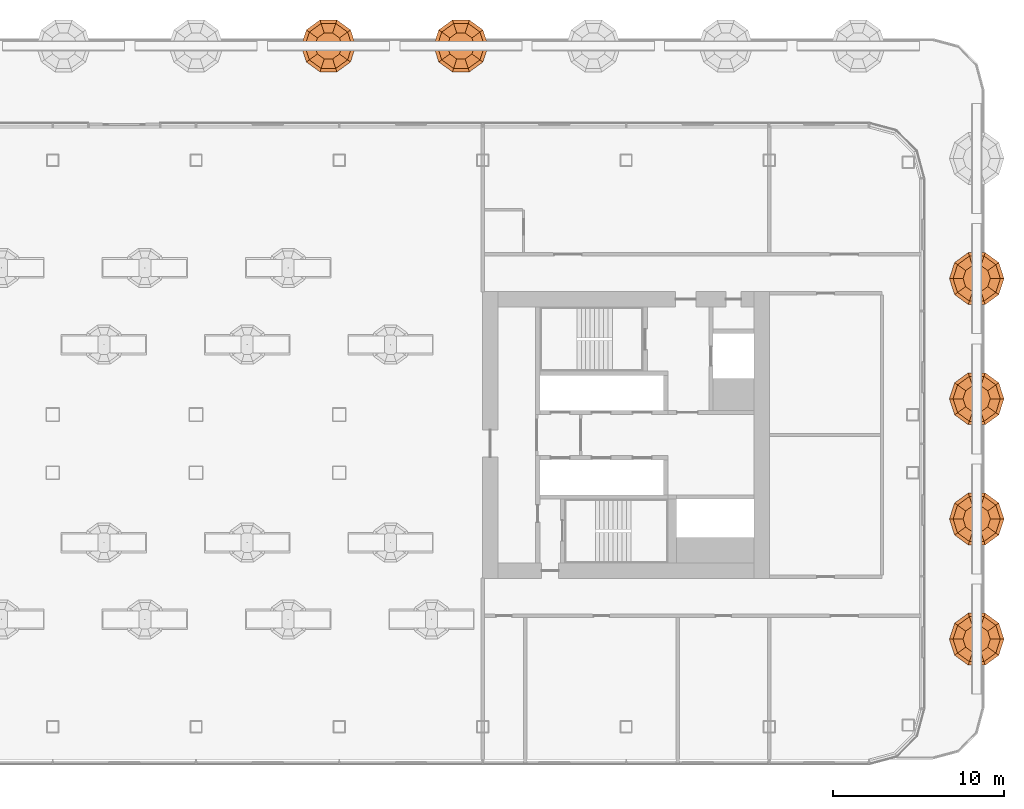
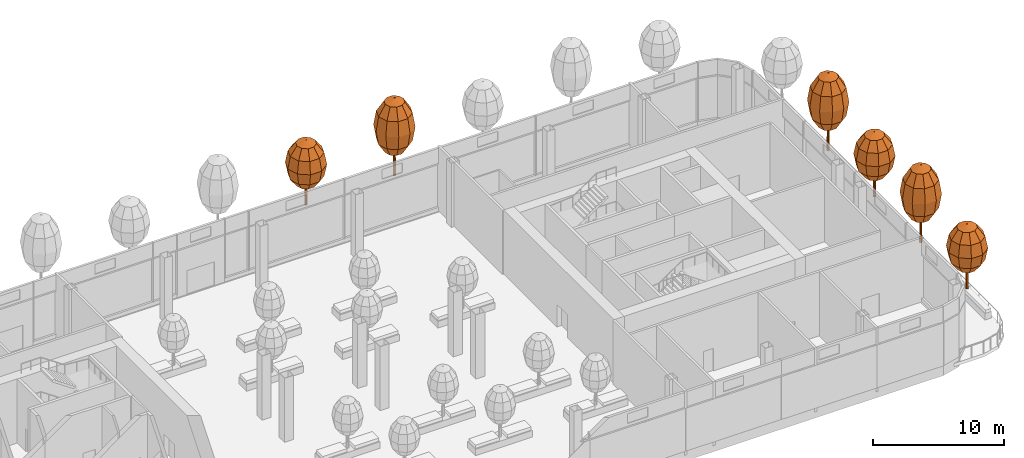
# One storey, part 42 of 43: 6 geographic elements.
"""IFC4 building model written with IfcOpenShell, lengths in metres."""

import ifcopenshell
import ifcopenshell.guid

model = None  # the IFC model being written
_history = None  # IfcOwnerHistory: only IFC2X3 demands one
_inside = {}  # id of a spatial element -> (the spatial element, [elements in it])
_under = {}  # id of a project, library or spatial element -> (it, [spatial elements below it])
_declared = {}  # id of a project -> (the project, [libraries it declares])
_typed = {}  # id of a type object -> (the type object, [elements of that type])
_made_of = {}  # id of a material, layer set ... -> (it, [elements and type objects made of it])


def new_model(schema):
    """Start an empty IFC model of exactly this schema.

    Asked for "IFC4X3", IfcOpenShell would pick the latest addendum, in which some entities
    have other attributes; the version numbers below select the first issue.
    IFC2X3 requires an IfcOwnerHistory on every rooted entity: one is made here for all.
    """
    global model, _history
    if schema == "IFC4X3":
        model = ifcopenshell.file(schema_version=(4, 3, 0, 0))
    else:
        model = ifcopenshell.file(schema=schema)
    _inside.clear()
    _under.clear()
    _declared.clear()
    _typed.clear()
    _made_of.clear()
    _history = None
    if model.schema == "IFC2X3":
        org = make("IfcOrganization", Name="unknown")
        user = make(
            "IfcPersonAndOrganization",
            ThePerson=make("IfcPerson", FamilyName="unknown"),
            TheOrganization=org,
        )
        app = make(
            "IfcApplication",
            ApplicationDeveloper=org,
            Version="unknown",
            ApplicationFullName="unknown",
            ApplicationIdentifier="unknown",
        )
        _history = make(
            "IfcOwnerHistory",
            OwningUser=user,
            OwningApplication=app,
            ChangeAction="ADDED",
            CreationDate=0,
        )
    return model


def make(cls, **values):
    """One entity of the class cls with the attributes given. An attribute that is None is left unset."""
    return model.create_entity(
        cls, **{name: value for name, value in values.items() if value is not None}
    )


def rooted(cls, **values):
    """An entity with a GlobalId (a new one), such as an element, a storey or a relation."""
    return make(cls, GlobalId=ifcopenshell.guid.new(), OwnerHistory=_history, **values)


def si_unit(unit_type, name, prefix=None):
    """IfcSIUnit, for example si_unit("LENGTHUNIT", "METRE", prefix="MILLI")."""
    return make("IfcSIUnit", UnitType=unit_type, Prefix=prefix, Name=name)


def assignment(units):
    """IfcUnitAssignment: the units of a project."""
    return None if units is None else make("IfcUnitAssignment", Units=units)


def point(xyz):
    """IfcCartesianPoint."""
    return None if xyz is None else make("IfcCartesianPoint", Coordinates=xyz)


def direction(xyz):
    """IfcDirection."""
    return None if xyz is None else make("IfcDirection", DirectionRatios=xyz)


def frame(location, z_axis=None, x_axis=None):
    """IfcAxis2Placement3D, a coordinate frame: its origin and axes. An axis left out is left unset."""
    return make(
        "IfcAxis2Placement3D",
        Location=point(location),
        Axis=direction(z_axis),
        RefDirection=direction(x_axis),
    )


def origin():
    """The frame at (0, 0, 0) with its axes left unset."""
    return frame((0.0, 0.0, 0.0))


def place(relative_to, where):
    """IfcLocalPlacement: puts the frame where relative to a parent placement (None: the world)."""
    return make(
        "IfcLocalPlacement", PlacementRelTo=relative_to, RelativePlacement=where
    )


def context(
    kind, dimensions, precision=None, world=None, true_north=None, identifier=None
):
    """IfcGeometricRepresentationContext, for example the 3D "Model" context."""
    return make(
        "IfcGeometricRepresentationContext",
        ContextIdentifier=identifier,
        ContextType=kind,
        CoordinateSpaceDimension=dimensions,
        Precision=precision,
        WorldCoordinateSystem=world,
        TrueNorth=true_north,
    )


def subcontext(parent, identifier, kind, view, scale=None):
    """IfcGeometricRepresentationSubContext, for example "Body" below "Model"."""
    return make(
        "IfcGeometricRepresentationSubContext",
        ContextIdentifier=identifier,
        ContextType=kind,
        ParentContext=parent,
        TargetScale=scale,
        TargetView=view,
    )


def project(units=None, contexts=None):
    """IfcProject with its units and contexts."""
    return rooted(
        "IfcProject",
        Name="project",
        RepresentationContexts=contexts,
        UnitsInContext=assignment(units),
    )


def spatial(cls, under=None, at=None, **own):
    """A site, building, storey or space (cls), placed at a placement, below another one or the project."""
    s = rooted(cls, ObjectPlacement=at, **own)
    if under is not None:
        _under.setdefault(under.id(), (under, []))[1].append(s)
    return s


def point_list(points):
    """IfcCartesianPointList2D or 3D."""
    cls = (
        "IfcCartesianPointList2D" if len(points[0]) == 2 else "IfcCartesianPointList3D"
    )
    return make(cls, CoordList=points)


def triangles(points, corners, closed=None, point_numbers=None):
    """IfcTriangulatedFaceSet: each triangle names its three corners, points numbered from 1."""
    return make(
        "IfcTriangulatedFaceSet",
        Coordinates=point_list(points),
        Closed=closed,
        CoordIndex=corners,
        PnIndex=point_numbers,
    )


def shape(context_of_items, identifier, shape_type, items):
    """IfcShapeRepresentation: the items that make up one representation, for example the "Body"."""
    return make(
        "IfcShapeRepresentation",
        ContextOfItems=context_of_items,
        RepresentationIdentifier=identifier,
        RepresentationType=shape_type,
        Items=items,
    )


def material(Name=None, Category=None):
    """IfcMaterial."""
    return make("IfcMaterial", Name=Name, Category=Category)


def made_of(thing, what):
    """Note that an element or type object is made of a material, layer set ...; save() writes the relation."""
    if what is not None:
        _made_of.setdefault(what.id(), (what, []))[1].append(thing)
    return thing


def type_object(cls, material=None, **own):
    """A type object (cls), such as IfcWallType, which elements share."""
    return made_of(rooted(cls, **own), material)


def element(
    cls,
    number,
    at=None,
    inside=None,
    cuts=None,
    type_object=None,
    material=None,
    context=None,
    identifier="Body",
    shape_type=None,
    held_by="IfcProductDefinitionShape",
    body=None,
    shapes=None,
    **own,
):
    """One element of the class cls, such as IfcWall. Its Tag is "e" and its number.

    at: its placement. inside: the storey or other place that contains it. cuts: it is an
    opening in that element (IfcRelVoidsElement). A single representation is given by context,
    identifier, shape_type and body (its items); several are given by shapes. held_by: the class
    of the entity that holds the representations. save() writes the other relations.
    """
    e = rooted(cls, Tag="e%d" % number, ObjectPlacement=at, **own)
    if body is not None:
        shapes = [shape(context, identifier, shape_type, body)]
    if shapes is not None:
        e.Representation = make(held_by, Representations=shapes)
    if inside is not None:
        _inside.setdefault(inside.id(), (inside, []))[1].append(e)
    if cuts is not None:
        rooted(
            "IfcRelVoidsElement", RelatingBuildingElement=cuts, RelatedOpeningElement=e
        )
    if type_object is not None:
        _typed.setdefault(type_object.id(), (type_object, []))[1].append(e)
    return made_of(e, material)


def aggregate(whole, parts):
    """IfcRelAggregates: a whole, such as a stair, and the parts it consists of."""
    return rooted("IfcRelAggregates", RelatingObject=whole, RelatedObjects=parts)


def save(model, path):
    """Write the relations noted so far, then the file.

    IfcRelAggregates (storeys below a building ...), IfcRelContainedInSpatialStructure (elements
    in a storey), IfcRelDefinesByType, IfcRelAssociatesMaterial and IfcRelDeclares: one each for
    every whole, place, type object, material and project.
    """
    for whole, parts in _under.values():
        aggregate(whole, parts)
    for where, things in _inside.values():
        rooted(
            "IfcRelContainedInSpatialStructure",
            RelatedElements=things,
            RelatingStructure=where,
        )
    for kind, things in _typed.values():
        rooted("IfcRelDefinesByType", RelatedObjects=things, RelatingType=kind)
    for what, things in _made_of.values():
        rooted("IfcRelAssociatesMaterial", RelatedObjects=things, RelatingMaterial=what)
    for by, libraries in _declared.values():
        rooted("IfcRelDeclares", RelatingContext=by, RelatedDefinitions=libraries)
    model.write(path)


model = new_model("IFC4")

# Units and contexts
model_context = context("Model", 3, precision=1e-05, world=origin(), true_north=direction((0.0, 1.0)))
body_context = subcontext(model_context, "Body", "Model", "MODEL_VIEW")
ifc_project = project(units=[si_unit("LENGTHUNIT", "METRE"), si_unit("AREAUNIT", "SQUARE_METRE"), si_unit("VOLUMEUNIT", "CUBIC_METRE"), si_unit("PLANEANGLEUNIT", "RADIAN"), si_unit("MASSUNIT", "GRAM", prefix="KILO")], contexts=[model_context])

# Site, building, storey
site_placement = place(None, origin())
site = spatial("IfcSite", under=ifc_project, at=site_placement, CompositionType="ELEMENT")
building_placement = place(site_placement, origin())
building = spatial("IfcBuilding", under=site, at=building_placement, Name="Hakoniwa Tower and Hamabe Station Hall", CompositionType="ELEMENT")
storey_placement = place(building_placement, frame((0.0, 0.0, 124.60009765625)))
storey = spatial("IfcBuildingStorey", under=building, at=storey_placement, Name="L35", CompositionType="ELEMENT", Elevation=124.60009765625)

# Geographic elements
ifc_material_1 = material(Name="Tree foliage")
geographic_element_type_1 = type_object("IfcGeographicElementType", Name="Japanese maple 7.2 m", PredefinedType="USERDEFINED", material=ifc_material_1)
geographic_element_1_placement = place(storey_placement, frame((45.7509765625, -4.919677734375, 0.89990234375)))
element("IfcGeographicElement", 1, at=geographic_element_1_placement, inside=storey, type_object=geographic_element_type_1, Name="Japanese maple 7-2 m", ObjectType="TREE", PredefinedType="USERDEFINED", context=body_context, shape_type="Tessellation", body=[
    triangles([(0.125, 0.0, 0.0), (0.08837890625, 0.08837890625, 0.0), (0.0, 0.125, 0.0), (-0.08837890625, 0.08837890625, 0.0), (-0.125, 0.0, 0.0), (-0.08837890625, -0.08837890625, 0.0), (0.0, -0.125, 0.0), (0.08837890625, -0.08837890625, 0.0), (0.074951171875, 0.0, 4.348876953125), (0.052978515625, 0.052978515625, 4.348876953125), (0.0, 0.074951171875, 4.348876953125), (-0.052978515625, 0.052978515625, 4.348876953125), (-0.074951171875, 0.0, 4.348876953125), (-0.052978515625, -0.052978515625, 4.348876953125), (0.0, -0.074951171875, 4.348876953125), (0.052978515625, -0.052978515625, 4.348876953125), (0.0, 0.0, 0.0), (0.0, 0.0, 4.348876953125)], [[1, 2, 10], [1, 10, 9], [17, 2, 1], [18, 9, 10], [2, 3, 11], [2, 11, 10], [17, 3, 2], [18, 10, 11], [3, 4, 12], [3, 12, 11], [17, 4, 3], [18, 11, 12], [4, 5, 13], [4, 13, 12], [17, 5, 4], [18, 12, 13], [5, 6, 14], [5, 14, 13], [17, 6, 5], [18, 13, 14], [6, 7, 15], [6, 15, 14], [17, 7, 6], [18, 14, 15], [7, 8, 16], [7, 16, 15], [17, 8, 7], [18, 15, 16], [8, 1, 9], [8, 9, 16], [17, 1, 8], [18, 16, 9]], closed=True),
    triangles([(0.0, 0.0, 2.015869140625), (0.800048828125, 0.0, 2.36328125), (0.647216796875, 0.47021484375, 2.36328125), (0.247314453125, 0.7607421875, 2.36328125), (-0.247314453125, 0.7607421875, 2.36328125), (-0.647216796875, 0.47021484375, 2.36328125), (-0.800048828125, 0.0, 2.36328125), (-0.647216796875, -0.47021484375, 2.36328125), (-0.247314453125, -0.7607421875, 2.36328125), (0.247314453125, -0.7607421875, 2.36328125), (0.647216796875, -0.47021484375, 2.36328125), (1.385498046875, 0.0, 3.31201171875), (1.12109375, 0.814453125, 3.31201171875), (0.42822265625, 1.31787109375, 3.31201171875), (-0.42822265625, 1.31787109375, 3.31201171875), (-1.12109375, 0.814453125, 3.31201171875), (-1.385498046875, 0.0, 3.31201171875), (-1.12109375, -0.814453125, 3.31201171875), (-0.42822265625, -1.31787109375, 3.31201171875), (0.42822265625, -1.31787109375, 3.31201171875), (1.12109375, -0.814453125, 3.31201171875), (1.60009765625, 0.0, 4.60791015625), (1.29443359375, 0.9404296875, 4.60791015625), (0.494384765625, 1.521728515625, 4.60791015625), (-0.494384765625, 1.521728515625, 4.60791015625), (-1.29443359375, 0.9404296875, 4.60791015625), (-1.60009765625, 0.0, 4.60791015625), (-1.29443359375, -0.9404296875, 4.60791015625), (-0.494384765625, -1.521728515625, 4.60791015625), (0.494384765625, -1.521728515625, 4.60791015625), (1.29443359375, -0.9404296875, 4.60791015625), (1.385498046875, 0.0, 5.904052734375), (1.12109375, 0.814453125, 5.904052734375), (0.42822265625, 1.31787109375, 5.904052734375), (-0.42822265625, 1.31787109375, 5.904052734375), (-1.12109375, 0.814453125, 5.904052734375), (-1.385498046875, 0.0, 5.904052734375), (-1.12109375, -0.814453125, 5.904052734375), (-0.42822265625, -1.31787109375, 5.904052734375), (0.42822265625, -1.31787109375, 5.904052734375), (1.12109375, -0.814453125, 5.904052734375), (0.800048828125, 0.0, 6.852783203125), (0.647216796875, 0.47021484375, 6.852783203125), (0.247314453125, 0.7607421875, 6.852783203125), (-0.247314453125, 0.7607421875, 6.852783203125), (-0.647216796875, 0.47021484375, 6.852783203125), (-0.800048828125, 0.0, 6.852783203125), (-0.647216796875, -0.47021484375, 6.852783203125), (-0.247314453125, -0.7607421875, 6.852783203125), (0.247314453125, -0.7607421875, 6.852783203125), (0.647216796875, -0.47021484375, 6.852783203125), (0.0, 0.0, 7.199951171875)], [[1, 3, 2], [1, 4, 3], [1, 5, 4], [1, 6, 5], [1, 7, 6], [1, 8, 7], [1, 9, 8], [1, 10, 9], [1, 11, 10], [1, 2, 11], [2, 3, 13], [2, 13, 12], [3, 4, 14], [3, 14, 13], [4, 5, 15], [4, 15, 14], [5, 6, 16], [5, 16, 15], [6, 7, 17], [6, 17, 16], [7, 8, 18], [7, 18, 17], [8, 9, 19], [8, 19, 18], [9, 10, 20], [9, 20, 19], [10, 11, 21], [10, 21, 20], [11, 2, 12], [11, 12, 21], [12, 13, 23], [12, 23, 22], [13, 14, 24], [13, 24, 23], [14, 15, 25], [14, 25, 24], [15, 16, 26], [15, 26, 25], [16, 17, 27], [16, 27, 26], [17, 18, 28], [17, 28, 27], [18, 19, 29], [18, 29, 28], [19, 20, 30], [19, 30, 29], [20, 21, 31], [20, 31, 30], [21, 12, 22], [21, 22, 31], [22, 23, 33], [22, 33, 32], [23, 24, 34], [23, 34, 33], [24, 25, 35], [24, 35, 34], [25, 26, 36], [25, 36, 35], [26, 27, 37], [26, 37, 36], [27, 28, 38], [27, 38, 37], [28, 29, 39], [28, 39, 38], [29, 30, 40], [29, 40, 39], [30, 31, 41], [30, 41, 40], [31, 22, 32], [31, 32, 41], [32, 33, 43], [32, 43, 42], [33, 34, 44], [33, 44, 43], [34, 35, 45], [34, 45, 44], [35, 36, 46], [35, 46, 45], [36, 37, 47], [36, 47, 46], [37, 38, 48], [37, 48, 47], [38, 39, 49], [38, 49, 48], [39, 40, 50], [39, 50, 49], [40, 41, 51], [40, 51, 50], [41, 32, 42], [41, 42, 51], [52, 42, 43], [52, 43, 44], [52, 44, 45], [52, 45, 46], [52, 46, 47], [52, 47, 48], [52, 48, 49], [52, 49, 50], [52, 50, 51], [52, 51, 42]], closed=True),
])
geographic_element_2_placement = place(storey_placement, frame((45.7509765625, 9.169677734375, 0.89990234375)))
element("IfcGeographicElement", 2, at=geographic_element_2_placement, inside=storey, type_object=geographic_element_type_1, Name="Japanese maple 7-2 m", ObjectType="TREE", PredefinedType="USERDEFINED", context=body_context, shape_type="Tessellation", body=[
    triangles([(0.125, 0.0, 0.0), (0.08837890625, 0.08837890625, 0.0), (0.0, 0.125, 0.0), (-0.08837890625, 0.08837890625, 0.0), (-0.125, 0.0, 0.0), (-0.08837890625, -0.08837890625, 0.0), (0.0, -0.125, 0.0), (0.08837890625, -0.08837890625, 0.0), (0.074951171875, 0.0, 4.348876953125), (0.052978515625, 0.052978515625, 4.348876953125), (0.0, 0.074951171875, 4.348876953125), (-0.052978515625, 0.052978515625, 4.348876953125), (-0.074951171875, 0.0, 4.348876953125), (-0.052978515625, -0.052978515625, 4.348876953125), (0.0, -0.074951171875, 4.348876953125), (0.052978515625, -0.052978515625, 4.348876953125), (0.0, 0.0, 0.0), (0.0, 0.0, 4.348876953125)], [[1, 2, 10], [1, 10, 9], [17, 2, 1], [18, 9, 10], [2, 3, 11], [2, 11, 10], [17, 3, 2], [18, 10, 11], [3, 4, 12], [3, 12, 11], [17, 4, 3], [18, 11, 12], [4, 5, 13], [4, 13, 12], [17, 5, 4], [18, 12, 13], [5, 6, 14], [5, 14, 13], [17, 6, 5], [18, 13, 14], [6, 7, 15], [6, 15, 14], [17, 7, 6], [18, 14, 15], [7, 8, 16], [7, 16, 15], [17, 8, 7], [18, 15, 16], [8, 1, 9], [8, 9, 16], [17, 1, 8], [18, 16, 9]], closed=True),
    triangles([(0.0, 0.0, 2.015869140625), (0.800048828125, 0.0, 2.36328125), (0.647216796875, 0.47021484375, 2.36328125), (0.247314453125, 0.7607421875, 2.36328125), (-0.247314453125, 0.7607421875, 2.36328125), (-0.647216796875, 0.47021484375, 2.36328125), (-0.800048828125, 0.0, 2.36328125), (-0.647216796875, -0.47021484375, 2.36328125), (-0.247314453125, -0.7607421875, 2.36328125), (0.247314453125, -0.7607421875, 2.36328125), (0.647216796875, -0.47021484375, 2.36328125), (1.385498046875, 0.0, 3.31201171875), (1.12109375, 0.814453125, 3.31201171875), (0.42822265625, 1.31787109375, 3.31201171875), (-0.42822265625, 1.31787109375, 3.31201171875), (-1.12109375, 0.814453125, 3.31201171875), (-1.385498046875, 0.0, 3.31201171875), (-1.12109375, -0.814453125, 3.31201171875), (-0.42822265625, -1.31787109375, 3.31201171875), (0.42822265625, -1.31787109375, 3.31201171875), (1.12109375, -0.814453125, 3.31201171875), (1.60009765625, 0.0, 4.60791015625), (1.29443359375, 0.9404296875, 4.60791015625), (0.494384765625, 1.521728515625, 4.60791015625), (-0.494384765625, 1.521728515625, 4.60791015625), (-1.29443359375, 0.9404296875, 4.60791015625), (-1.60009765625, 0.0, 4.60791015625), (-1.29443359375, -0.9404296875, 4.60791015625), (-0.494384765625, -1.521728515625, 4.60791015625), (0.494384765625, -1.521728515625, 4.60791015625), (1.29443359375, -0.9404296875, 4.60791015625), (1.385498046875, 0.0, 5.904052734375), (1.12109375, 0.814453125, 5.904052734375), (0.42822265625, 1.31787109375, 5.904052734375), (-0.42822265625, 1.31787109375, 5.904052734375), (-1.12109375, 0.814453125, 5.904052734375), (-1.385498046875, 0.0, 5.904052734375), (-1.12109375, -0.814453125, 5.904052734375), (-0.42822265625, -1.31787109375, 5.904052734375), (0.42822265625, -1.31787109375, 5.904052734375), (1.12109375, -0.814453125, 5.904052734375), (0.800048828125, 0.0, 6.852783203125), (0.647216796875, 0.47021484375, 6.852783203125), (0.247314453125, 0.7607421875, 6.852783203125), (-0.247314453125, 0.7607421875, 6.852783203125), (-0.647216796875, 0.47021484375, 6.852783203125), (-0.800048828125, 0.0, 6.852783203125), (-0.647216796875, -0.47021484375, 6.852783203125), (-0.247314453125, -0.7607421875, 6.852783203125), (0.247314453125, -0.7607421875, 6.852783203125), (0.647216796875, -0.47021484375, 6.852783203125), (0.0, 0.0, 7.199951171875)], [[1, 3, 2], [1, 4, 3], [1, 5, 4], [1, 6, 5], [1, 7, 6], [1, 8, 7], [1, 9, 8], [1, 10, 9], [1, 11, 10], [1, 2, 11], [2, 3, 13], [2, 13, 12], [3, 4, 14], [3, 14, 13], [4, 5, 15], [4, 15, 14], [5, 6, 16], [5, 16, 15], [6, 7, 17], [6, 17, 16], [7, 8, 18], [7, 18, 17], [8, 9, 19], [8, 19, 18], [9, 10, 20], [9, 20, 19], [10, 11, 21], [10, 21, 20], [11, 2, 12], [11, 12, 21], [12, 13, 23], [12, 23, 22], [13, 14, 24], [13, 24, 23], [14, 15, 25], [14, 25, 24], [15, 16, 26], [15, 26, 25], [16, 17, 27], [16, 27, 26], [17, 18, 28], [17, 28, 27], [18, 19, 29], [18, 29, 28], [19, 20, 30], [19, 30, 29], [20, 21, 31], [20, 31, 30], [21, 12, 22], [21, 22, 31], [22, 23, 33], [22, 33, 32], [23, 24, 34], [23, 34, 33], [24, 25, 35], [24, 35, 34], [25, 26, 36], [25, 36, 35], [26, 27, 37], [26, 37, 36], [27, 28, 38], [27, 38, 37], [28, 29, 39], [28, 39, 38], [29, 30, 40], [29, 40, 39], [30, 31, 41], [30, 41, 40], [31, 22, 32], [31, 32, 41], [32, 33, 43], [32, 43, 42], [33, 34, 44], [33, 44, 43], [34, 35, 45], [34, 45, 44], [35, 36, 46], [35, 46, 45], [36, 37, 47], [36, 47, 46], [37, 38, 48], [37, 48, 47], [38, 39, 49], [38, 49, 48], [39, 40, 50], [39, 50, 49], [40, 41, 51], [40, 51, 50], [41, 32, 42], [41, 42, 51], [52, 42, 43], [52, 43, 44], [52, 44, 45], [52, 45, 46], [52, 46, 47], [52, 47, 48], [52, 48, 49], [52, 49, 50], [52, 50, 51], [52, 51, 42]], closed=True),
])
geographic_element_3_placement = place(storey_placement, frame((15.5224609375, 22.801025390625, 0.89990234375)))
element("IfcGeographicElement", 3, at=geographic_element_3_placement, inside=storey, type_object=geographic_element_type_1, Name="Japanese maple 7-2 m", ObjectType="TREE", PredefinedType="USERDEFINED", context=body_context, shape_type="Tessellation", body=[
    triangles([(0.125, 0.0, 0.0), (0.08837890625, 0.08837890625, 0.0), (0.0, 0.125, 0.0), (-0.08837890625, 0.08837890625, 0.0), (-0.125, 0.0, 0.0), (-0.08837890625, -0.08837890625, 0.0), (0.0, -0.125, 0.0), (0.08837890625, -0.08837890625, 0.0), (0.074951171875, 0.0, 4.348876953125), (0.052978515625, 0.052978515625, 4.348876953125), (0.0, 0.074951171875, 4.348876953125), (-0.052978515625, 0.052978515625, 4.348876953125), (-0.074951171875, 0.0, 4.348876953125), (-0.052978515625, -0.052978515625, 4.348876953125), (0.0, -0.074951171875, 4.348876953125), (0.052978515625, -0.052978515625, 4.348876953125), (0.0, 0.0, 0.0), (0.0, 0.0, 4.348876953125)], [[1, 2, 10], [1, 10, 9], [17, 2, 1], [18, 9, 10], [2, 3, 11], [2, 11, 10], [17, 3, 2], [18, 10, 11], [3, 4, 12], [3, 12, 11], [17, 4, 3], [18, 11, 12], [4, 5, 13], [4, 13, 12], [17, 5, 4], [18, 12, 13], [5, 6, 14], [5, 14, 13], [17, 6, 5], [18, 13, 14], [6, 7, 15], [6, 15, 14], [17, 7, 6], [18, 14, 15], [7, 8, 16], [7, 16, 15], [17, 8, 7], [18, 15, 16], [8, 1, 9], [8, 9, 16], [17, 1, 8], [18, 16, 9]], closed=True),
    triangles([(0.0, 0.0, 2.015869140625), (0.800048828125, 0.0, 2.36328125), (0.647216796875, 0.47021484375, 2.36328125), (0.247314453125, 0.7607421875, 2.36328125), (-0.247314453125, 0.7607421875, 2.36328125), (-0.647216796875, 0.47021484375, 2.36328125), (-0.800048828125, 0.0, 2.36328125), (-0.647216796875, -0.47021484375, 2.36328125), (-0.247314453125, -0.7607421875, 2.36328125), (0.247314453125, -0.7607421875, 2.36328125), (0.647216796875, -0.47021484375, 2.36328125), (1.385498046875, 0.0, 3.31201171875), (1.12109375, 0.814453125, 3.31201171875), (0.42822265625, 1.31787109375, 3.31201171875), (-0.42822265625, 1.31787109375, 3.31201171875), (-1.12109375, 0.814453125, 3.31201171875), (-1.385498046875, 0.0, 3.31201171875), (-1.12109375, -0.814453125, 3.31201171875), (-0.42822265625, -1.31787109375, 3.31201171875), (0.42822265625, -1.31787109375, 3.31201171875), (1.12109375, -0.814453125, 3.31201171875), (1.60009765625, 0.0, 4.60791015625), (1.29443359375, 0.9404296875, 4.60791015625), (0.494384765625, 1.521728515625, 4.60791015625), (-0.494384765625, 1.521728515625, 4.60791015625), (-1.29443359375, 0.9404296875, 4.60791015625), (-1.60009765625, 0.0, 4.60791015625), (-1.29443359375, -0.9404296875, 4.60791015625), (-0.494384765625, -1.521728515625, 4.60791015625), (0.494384765625, -1.521728515625, 4.60791015625), (1.29443359375, -0.9404296875, 4.60791015625), (1.385498046875, 0.0, 5.904052734375), (1.12109375, 0.814453125, 5.904052734375), (0.42822265625, 1.31787109375, 5.904052734375), (-0.42822265625, 1.31787109375, 5.904052734375), (-1.12109375, 0.814453125, 5.904052734375), (-1.385498046875, 0.0, 5.904052734375), (-1.12109375, -0.814453125, 5.904052734375), (-0.42822265625, -1.31787109375, 5.904052734375), (0.42822265625, -1.31787109375, 5.904052734375), (1.12109375, -0.814453125, 5.904052734375), (0.800048828125, 0.0, 6.852783203125), (0.647216796875, 0.47021484375, 6.852783203125), (0.247314453125, 0.7607421875, 6.852783203125), (-0.247314453125, 0.7607421875, 6.852783203125), (-0.647216796875, 0.47021484375, 6.852783203125), (-0.800048828125, 0.0, 6.852783203125), (-0.647216796875, -0.47021484375, 6.852783203125), (-0.247314453125, -0.7607421875, 6.852783203125), (0.247314453125, -0.7607421875, 6.852783203125), (0.647216796875, -0.47021484375, 6.852783203125), (0.0, 0.0, 7.199951171875)], [[1, 3, 2], [1, 4, 3], [1, 5, 4], [1, 6, 5], [1, 7, 6], [1, 8, 7], [1, 9, 8], [1, 10, 9], [1, 11, 10], [1, 2, 11], [2, 3, 13], [2, 13, 12], [3, 4, 14], [3, 14, 13], [4, 5, 15], [4, 15, 14], [5, 6, 16], [5, 16, 15], [6, 7, 17], [6, 17, 16], [7, 8, 18], [7, 18, 17], [8, 9, 19], [8, 19, 18], [9, 10, 20], [9, 20, 19], [10, 11, 21], [10, 21, 20], [11, 2, 12], [11, 12, 21], [12, 13, 23], [12, 23, 22], [13, 14, 24], [13, 24, 23], [14, 15, 25], [14, 25, 24], [15, 16, 26], [15, 26, 25], [16, 17, 27], [16, 27, 26], [17, 18, 28], [17, 28, 27], [18, 19, 29], [18, 29, 28], [19, 20, 30], [19, 30, 29], [20, 21, 31], [20, 31, 30], [21, 12, 22], [21, 22, 31], [22, 23, 33], [22, 33, 32], [23, 24, 34], [23, 34, 33], [24, 25, 35], [24, 35, 34], [25, 26, 36], [25, 36, 35], [26, 27, 37], [26, 37, 36], [27, 28, 38], [27, 38, 37], [28, 29, 39], [28, 39, 38], [29, 30, 40], [29, 40, 39], [30, 31, 41], [30, 41, 40], [31, 22, 32], [31, 32, 41], [32, 33, 43], [32, 43, 42], [33, 34, 44], [33, 44, 43], [34, 35, 45], [34, 45, 44], [35, 36, 46], [35, 46, 45], [36, 37, 47], [36, 47, 46], [37, 38, 48], [37, 48, 47], [38, 39, 49], [38, 49, 48], [39, 40, 50], [39, 50, 49], [40, 41, 51], [40, 51, 50], [41, 32, 42], [41, 42, 51], [52, 42, 43], [52, 43, 44], [52, 44, 45], [52, 45, 46], [52, 46, 47], [52, 47, 48], [52, 48, 49], [52, 49, 50], [52, 50, 51], [52, 51, 42]], closed=True),
])
ifc_material_2 = material(Name="Tree foliage")
geographic_element_type_2 = type_object("IfcGeographicElementType", Name="Osmanthus 6.0 m", PredefinedType="USERDEFINED", material=ifc_material_2)
geographic_element_4_placement = place(storey_placement, frame((45.7509765625, -11.96435546875, 0.89990234375)))
element("IfcGeographicElement", 4, at=geographic_element_4_placement, inside=storey, type_object=geographic_element_type_2, Name="Osmanthus 6-0 m", ObjectType="TREE", PredefinedType="USERDEFINED", context=body_context, shape_type="Tessellation", body=[
    triangles([(0.125, 0.0, 0.0), (0.08837890625, 0.08837890625, 0.0), (0.0, 0.125, 0.0), (-0.08837890625, 0.08837890625, 0.0), (-0.125, 0.0, 0.0), (-0.08837890625, -0.08837890625, 0.0), (0.0, -0.125, 0.0), (0.08837890625, -0.08837890625, 0.0), (0.074951171875, 0.0, 3.6240234375), (0.052978515625, 0.052978515625, 3.6240234375), (0.0, 0.074951171875, 3.6240234375), (-0.052978515625, 0.052978515625, 3.6240234375), (-0.074951171875, 0.0, 3.6240234375), (-0.052978515625, -0.052978515625, 3.6240234375), (0.0, -0.074951171875, 3.6240234375), (0.052978515625, -0.052978515625, 3.6240234375), (0.0, 0.0, 0.0), (0.0, 0.0, 3.6240234375)], [[1, 2, 10], [1, 10, 9], [17, 2, 1], [18, 9, 10], [2, 3, 11], [2, 11, 10], [17, 3, 2], [18, 10, 11], [3, 4, 12], [3, 12, 11], [17, 4, 3], [18, 11, 12], [4, 5, 13], [4, 13, 12], [17, 5, 4], [18, 12, 13], [5, 6, 14], [5, 14, 13], [17, 6, 5], [18, 13, 14], [6, 7, 15], [6, 15, 14], [17, 7, 6], [18, 14, 15], [7, 8, 16], [7, 16, 15], [17, 8, 7], [18, 15, 16], [8, 1, 9], [8, 9, 16], [17, 1, 8], [18, 16, 9]], closed=True),
    triangles([(0.0, 0.0, 1.679931640625), (0.800048828125, 0.0, 1.969482421875), (0.647216796875, 0.47021484375, 1.969482421875), (0.247314453125, 0.7607421875, 1.969482421875), (-0.247314453125, 0.7607421875, 1.969482421875), (-0.647216796875, 0.47021484375, 1.969482421875), (-0.800048828125, 0.0, 1.969482421875), (-0.647216796875, -0.47021484375, 1.969482421875), (-0.247314453125, -0.7607421875, 1.969482421875), (0.247314453125, -0.7607421875, 1.969482421875), (0.647216796875, -0.47021484375, 1.969482421875), (1.385498046875, 0.0, 2.760009765625), (1.12109375, 0.814453125, 2.760009765625), (0.42822265625, 1.31787109375, 2.760009765625), (-0.42822265625, 1.31787109375, 2.760009765625), (-1.12109375, 0.814453125, 2.760009765625), (-1.385498046875, 0.0, 2.760009765625), (-1.12109375, -0.814453125, 2.760009765625), (-0.42822265625, -1.31787109375, 2.760009765625), (0.42822265625, -1.31787109375, 2.760009765625), (1.12109375, -0.814453125, 2.760009765625), (1.60009765625, 0.0, 3.840087890625), (1.29443359375, 0.9404296875, 3.840087890625), (0.494384765625, 1.521728515625, 3.840087890625), (-0.494384765625, 1.521728515625, 3.840087890625), (-1.29443359375, 0.9404296875, 3.840087890625), (-1.60009765625, 0.0, 3.840087890625), (-1.29443359375, -0.9404296875, 3.840087890625), (-0.494384765625, -1.521728515625, 3.840087890625), (0.494384765625, -1.521728515625, 3.840087890625), (1.29443359375, -0.9404296875, 3.840087890625), (1.385498046875, 0.0, 4.919921875), (1.12109375, 0.814453125, 4.919921875), (0.42822265625, 1.31787109375, 4.919921875), (-0.42822265625, 1.31787109375, 4.919921875), (-1.12109375, 0.814453125, 4.919921875), (-1.385498046875, 0.0, 4.919921875), (-1.12109375, -0.814453125, 4.919921875), (-0.42822265625, -1.31787109375, 4.919921875), (0.42822265625, -1.31787109375, 4.919921875), (1.12109375, -0.814453125, 4.919921875), (0.800048828125, 0.0, 5.710693359375), (0.647216796875, 0.47021484375, 5.710693359375), (0.247314453125, 0.7607421875, 5.710693359375), (-0.247314453125, 0.7607421875, 5.710693359375), (-0.647216796875, 0.47021484375, 5.710693359375), (-0.800048828125, 0.0, 5.710693359375), (-0.647216796875, -0.47021484375, 5.710693359375), (-0.247314453125, -0.7607421875, 5.710693359375), (0.247314453125, -0.7607421875, 5.710693359375), (0.647216796875, -0.47021484375, 5.710693359375), (0.0, 0.0, 6.0)], [[1, 3, 2], [1, 4, 3], [1, 5, 4], [1, 6, 5], [1, 7, 6], [1, 8, 7], [1, 9, 8], [1, 10, 9], [1, 11, 10], [1, 2, 11], [2, 3, 13], [2, 13, 12], [3, 4, 14], [3, 14, 13], [4, 5, 15], [4, 15, 14], [5, 6, 16], [5, 16, 15], [6, 7, 17], [6, 17, 16], [7, 8, 18], [7, 18, 17], [8, 9, 19], [8, 19, 18], [9, 10, 20], [9, 20, 19], [10, 11, 21], [10, 21, 20], [11, 2, 12], [11, 12, 21], [12, 13, 23], [12, 23, 22], [13, 14, 24], [13, 24, 23], [14, 15, 25], [14, 25, 24], [15, 16, 26], [15, 26, 25], [16, 17, 27], [16, 27, 26], [17, 18, 28], [17, 28, 27], [18, 19, 29], [18, 29, 28], [19, 20, 30], [19, 30, 29], [20, 21, 31], [20, 31, 30], [21, 12, 22], [21, 22, 31], [22, 23, 33], [22, 33, 32], [23, 24, 34], [23, 34, 33], [24, 25, 35], [24, 35, 34], [25, 26, 36], [25, 36, 35], [26, 27, 37], [26, 37, 36], [27, 28, 38], [27, 38, 37], [28, 29, 39], [28, 39, 38], [29, 30, 40], [29, 40, 39], [30, 31, 41], [30, 41, 40], [31, 22, 32], [31, 32, 41], [32, 33, 43], [32, 43, 42], [33, 34, 44], [33, 44, 43], [34, 35, 45], [34, 45, 44], [35, 36, 46], [35, 46, 45], [36, 37, 47], [36, 47, 46], [37, 38, 48], [37, 48, 47], [38, 39, 49], [38, 49, 48], [39, 40, 50], [39, 50, 49], [40, 41, 51], [40, 51, 50], [41, 32, 42], [41, 42, 51], [52, 42, 43], [52, 43, 44], [52, 44, 45], [52, 45, 46], [52, 46, 47], [52, 47, 48], [52, 48, 49], [52, 49, 50], [52, 50, 51], [52, 51, 42]], closed=True),
])
geographic_element_5_placement = place(storey_placement, frame((45.7509765625, 2.125, 0.89990234375)))
element("IfcGeographicElement", 5, at=geographic_element_5_placement, inside=storey, type_object=geographic_element_type_2, Name="Osmanthus 6-0 m", ObjectType="TREE", PredefinedType="USERDEFINED", context=body_context, shape_type="Tessellation", body=[
    triangles([(0.125, 0.0, 0.0), (0.08837890625, 0.08837890625, 0.0), (0.0, 0.125, 0.0), (-0.08837890625, 0.08837890625, 0.0), (-0.125, 0.0, 0.0), (-0.08837890625, -0.08837890625, 0.0), (0.0, -0.125, 0.0), (0.08837890625, -0.08837890625, 0.0), (0.074951171875, 0.0, 3.6240234375), (0.052978515625, 0.052978515625, 3.6240234375), (0.0, 0.074951171875, 3.6240234375), (-0.052978515625, 0.052978515625, 3.6240234375), (-0.074951171875, 0.0, 3.6240234375), (-0.052978515625, -0.052978515625, 3.6240234375), (0.0, -0.074951171875, 3.6240234375), (0.052978515625, -0.052978515625, 3.6240234375), (0.0, 0.0, 0.0), (0.0, 0.0, 3.6240234375)], [[1, 2, 10], [1, 10, 9], [17, 2, 1], [18, 9, 10], [2, 3, 11], [2, 11, 10], [17, 3, 2], [18, 10, 11], [3, 4, 12], [3, 12, 11], [17, 4, 3], [18, 11, 12], [4, 5, 13], [4, 13, 12], [17, 5, 4], [18, 12, 13], [5, 6, 14], [5, 14, 13], [17, 6, 5], [18, 13, 14], [6, 7, 15], [6, 15, 14], [17, 7, 6], [18, 14, 15], [7, 8, 16], [7, 16, 15], [17, 8, 7], [18, 15, 16], [8, 1, 9], [8, 9, 16], [17, 1, 8], [18, 16, 9]], closed=True),
    triangles([(0.0, 0.0, 1.679931640625), (0.800048828125, 0.0, 1.969482421875), (0.647216796875, 0.47021484375, 1.969482421875), (0.247314453125, 0.7607421875, 1.969482421875), (-0.247314453125, 0.7607421875, 1.969482421875), (-0.647216796875, 0.47021484375, 1.969482421875), (-0.800048828125, 0.0, 1.969482421875), (-0.647216796875, -0.47021484375, 1.969482421875), (-0.247314453125, -0.7607421875, 1.969482421875), (0.247314453125, -0.7607421875, 1.969482421875), (0.647216796875, -0.47021484375, 1.969482421875), (1.385498046875, 0.0, 2.760009765625), (1.12109375, 0.814453125, 2.760009765625), (0.42822265625, 1.31787109375, 2.760009765625), (-0.42822265625, 1.31787109375, 2.760009765625), (-1.12109375, 0.814453125, 2.760009765625), (-1.385498046875, 0.0, 2.760009765625), (-1.12109375, -0.814453125, 2.760009765625), (-0.42822265625, -1.31787109375, 2.760009765625), (0.42822265625, -1.31787109375, 2.760009765625), (1.12109375, -0.814453125, 2.760009765625), (1.60009765625, 0.0, 3.840087890625), (1.29443359375, 0.9404296875, 3.840087890625), (0.494384765625, 1.521728515625, 3.840087890625), (-0.494384765625, 1.521728515625, 3.840087890625), (-1.29443359375, 0.9404296875, 3.840087890625), (-1.60009765625, 0.0, 3.840087890625), (-1.29443359375, -0.9404296875, 3.840087890625), (-0.494384765625, -1.521728515625, 3.840087890625), (0.494384765625, -1.521728515625, 3.840087890625), (1.29443359375, -0.9404296875, 3.840087890625), (1.385498046875, 0.0, 4.919921875), (1.12109375, 0.814453125, 4.919921875), (0.42822265625, 1.31787109375, 4.919921875), (-0.42822265625, 1.31787109375, 4.919921875), (-1.12109375, 0.814453125, 4.919921875), (-1.385498046875, 0.0, 4.919921875), (-1.12109375, -0.814453125, 4.919921875), (-0.42822265625, -1.31787109375, 4.919921875), (0.42822265625, -1.31787109375, 4.919921875), (1.12109375, -0.814453125, 4.919921875), (0.800048828125, 0.0, 5.710693359375), (0.647216796875, 0.47021484375, 5.710693359375), (0.247314453125, 0.7607421875, 5.710693359375), (-0.247314453125, 0.7607421875, 5.710693359375), (-0.647216796875, 0.47021484375, 5.710693359375), (-0.800048828125, 0.0, 5.710693359375), (-0.647216796875, -0.47021484375, 5.710693359375), (-0.247314453125, -0.7607421875, 5.710693359375), (0.247314453125, -0.7607421875, 5.710693359375), (0.647216796875, -0.47021484375, 5.710693359375), (0.0, 0.0, 6.0)], [[1, 3, 2], [1, 4, 3], [1, 5, 4], [1, 6, 5], [1, 7, 6], [1, 8, 7], [1, 9, 8], [1, 10, 9], [1, 11, 10], [1, 2, 11], [2, 3, 13], [2, 13, 12], [3, 4, 14], [3, 14, 13], [4, 5, 15], [4, 15, 14], [5, 6, 16], [5, 16, 15], [6, 7, 17], [6, 17, 16], [7, 8, 18], [7, 18, 17], [8, 9, 19], [8, 19, 18], [9, 10, 20], [9, 20, 19], [10, 11, 21], [10, 21, 20], [11, 2, 12], [11, 12, 21], [12, 13, 23], [12, 23, 22], [13, 14, 24], [13, 24, 23], [14, 15, 25], [14, 25, 24], [15, 16, 26], [15, 26, 25], [16, 17, 27], [16, 27, 26], [17, 18, 28], [17, 28, 27], [18, 19, 29], [18, 29, 28], [19, 20, 30], [19, 30, 29], [20, 21, 31], [20, 31, 30], [21, 12, 22], [21, 22, 31], [22, 23, 33], [22, 33, 32], [23, 24, 34], [23, 34, 33], [24, 25, 35], [24, 35, 34], [25, 26, 36], [25, 36, 35], [26, 27, 37], [26, 37, 36], [27, 28, 38], [27, 38, 37], [28, 29, 39], [28, 39, 38], [29, 30, 40], [29, 40, 39], [30, 31, 41], [30, 41, 40], [31, 22, 32], [31, 32, 41], [32, 33, 43], [32, 43, 42], [33, 34, 44], [33, 44, 43], [34, 35, 45], [34, 45, 44], [35, 36, 46], [35, 46, 45], [36, 37, 47], [36, 47, 46], [37, 38, 48], [37, 48, 47], [38, 39, 49], [38, 49, 48], [39, 40, 50], [39, 50, 49], [40, 41, 51], [40, 51, 50], [41, 32, 42], [41, 42, 51], [52, 42, 43], [52, 43, 44], [52, 44, 45], [52, 45, 46], [52, 46, 47], [52, 47, 48], [52, 48, 49], [52, 49, 50], [52, 50, 51], [52, 51, 42]], closed=True),
])
geographic_element_6_placement = place(storey_placement, frame((7.76123046875, 22.801025390625, 0.89990234375)))
element("IfcGeographicElement", 6, at=geographic_element_6_placement, inside=storey, type_object=geographic_element_type_2, Name="Osmanthus 6-0 m", ObjectType="TREE", PredefinedType="USERDEFINED", context=body_context, shape_type="Tessellation", body=[
    triangles([(0.125, 0.0, 0.0), (0.08837890625, 0.08837890625, 0.0), (0.0, 0.125, 0.0), (-0.08837890625, 0.08837890625, 0.0), (-0.125, 0.0, 0.0), (-0.08837890625, -0.08837890625, 0.0), (0.0, -0.125, 0.0), (0.08837890625, -0.08837890625, 0.0), (0.074951171875, 0.0, 3.6240234375), (0.052978515625, 0.052978515625, 3.6240234375), (0.0, 0.074951171875, 3.6240234375), (-0.052978515625, 0.052978515625, 3.6240234375), (-0.074951171875, 0.0, 3.6240234375), (-0.052978515625, -0.052978515625, 3.6240234375), (0.0, -0.074951171875, 3.6240234375), (0.052978515625, -0.052978515625, 3.6240234375), (0.0, 0.0, 0.0), (0.0, 0.0, 3.6240234375)], [[1, 2, 10], [1, 10, 9], [17, 2, 1], [18, 9, 10], [2, 3, 11], [2, 11, 10], [17, 3, 2], [18, 10, 11], [3, 4, 12], [3, 12, 11], [17, 4, 3], [18, 11, 12], [4, 5, 13], [4, 13, 12], [17, 5, 4], [18, 12, 13], [5, 6, 14], [5, 14, 13], [17, 6, 5], [18, 13, 14], [6, 7, 15], [6, 15, 14], [17, 7, 6], [18, 14, 15], [7, 8, 16], [7, 16, 15], [17, 8, 7], [18, 15, 16], [8, 1, 9], [8, 9, 16], [17, 1, 8], [18, 16, 9]], closed=True),
    triangles([(0.0, 0.0, 1.679931640625), (0.800048828125, 0.0, 1.969482421875), (0.647216796875, 0.47021484375, 1.969482421875), (0.247314453125, 0.7607421875, 1.969482421875), (-0.247314453125, 0.7607421875, 1.969482421875), (-0.647216796875, 0.47021484375, 1.969482421875), (-0.800048828125, 0.0, 1.969482421875), (-0.647216796875, -0.47021484375, 1.969482421875), (-0.247314453125, -0.7607421875, 1.969482421875), (0.247314453125, -0.7607421875, 1.969482421875), (0.647216796875, -0.47021484375, 1.969482421875), (1.385498046875, 0.0, 2.760009765625), (1.12109375, 0.814453125, 2.760009765625), (0.42822265625, 1.31787109375, 2.760009765625), (-0.42822265625, 1.31787109375, 2.760009765625), (-1.12109375, 0.814453125, 2.760009765625), (-1.385498046875, 0.0, 2.760009765625), (-1.12109375, -0.814453125, 2.760009765625), (-0.42822265625, -1.31787109375, 2.760009765625), (0.42822265625, -1.31787109375, 2.760009765625), (1.12109375, -0.814453125, 2.760009765625), (1.60009765625, 0.0, 3.840087890625), (1.29443359375, 0.9404296875, 3.840087890625), (0.494384765625, 1.521728515625, 3.840087890625), (-0.494384765625, 1.521728515625, 3.840087890625), (-1.29443359375, 0.9404296875, 3.840087890625), (-1.60009765625, 0.0, 3.840087890625), (-1.29443359375, -0.9404296875, 3.840087890625), (-0.494384765625, -1.521728515625, 3.840087890625), (0.494384765625, -1.521728515625, 3.840087890625), (1.29443359375, -0.9404296875, 3.840087890625), (1.385498046875, 0.0, 4.919921875), (1.12109375, 0.814453125, 4.919921875), (0.42822265625, 1.31787109375, 4.919921875), (-0.42822265625, 1.31787109375, 4.919921875), (-1.12109375, 0.814453125, 4.919921875), (-1.385498046875, 0.0, 4.919921875), (-1.12109375, -0.814453125, 4.919921875), (-0.42822265625, -1.31787109375, 4.919921875), (0.42822265625, -1.31787109375, 4.919921875), (1.12109375, -0.814453125, 4.919921875), (0.800048828125, 0.0, 5.710693359375), (0.647216796875, 0.47021484375, 5.710693359375), (0.247314453125, 0.7607421875, 5.710693359375), (-0.247314453125, 0.7607421875, 5.710693359375), (-0.647216796875, 0.47021484375, 5.710693359375), (-0.800048828125, 0.0, 5.710693359375), (-0.647216796875, -0.47021484375, 5.710693359375), (-0.247314453125, -0.7607421875, 5.710693359375), (0.247314453125, -0.7607421875, 5.710693359375), (0.647216796875, -0.47021484375, 5.710693359375), (0.0, 0.0, 6.0)], [[1, 3, 2], [1, 4, 3], [1, 5, 4], [1, 6, 5], [1, 7, 6], [1, 8, 7], [1, 9, 8], [1, 10, 9], [1, 11, 10], [1, 2, 11], [2, 3, 13], [2, 13, 12], [3, 4, 14], [3, 14, 13], [4, 5, 15], [4, 15, 14], [5, 6, 16], [5, 16, 15], [6, 7, 17], [6, 17, 16], [7, 8, 18], [7, 18, 17], [8, 9, 19], [8, 19, 18], [9, 10, 20], [9, 20, 19], [10, 11, 21], [10, 21, 20], [11, 2, 12], [11, 12, 21], [12, 13, 23], [12, 23, 22], [13, 14, 24], [13, 24, 23], [14, 15, 25], [14, 25, 24], [15, 16, 26], [15, 26, 25], [16, 17, 27], [16, 27, 26], [17, 18, 28], [17, 28, 27], [18, 19, 29], [18, 29, 28], [19, 20, 30], [19, 30, 29], [20, 21, 31], [20, 31, 30], [21, 12, 22], [21, 22, 31], [22, 23, 33], [22, 33, 32], [23, 24, 34], [23, 34, 33], [24, 25, 35], [24, 35, 34], [25, 26, 36], [25, 36, 35], [26, 27, 37], [26, 37, 36], [27, 28, 38], [27, 38, 37], [28, 29, 39], [28, 39, 38], [29, 30, 40], [29, 40, 39], [30, 31, 41], [30, 41, 40], [31, 22, 32], [31, 32, 41], [32, 33, 43], [32, 43, 42], [33, 34, 44], [33, 44, 43], [34, 35, 45], [34, 45, 44], [35, 36, 46], [35, 46, 45], [36, 37, 47], [36, 47, 46], [37, 38, 48], [37, 48, 47], [38, 39, 49], [38, 49, 48], [39, 40, 50], [39, 50, 49], [40, 41, 51], [40, 51, 50], [41, 32, 42], [41, 42, 51], [52, 42, 43], [52, 43, 44], [52, 44, 45], [52, 45, 46], [52, 46, 47], [52, 47, 48], [52, 48, 49], [52, 49, 50], [52, 50, 51], [52, 51, 42]], closed=True),
])

save(model, "model.ifc")
